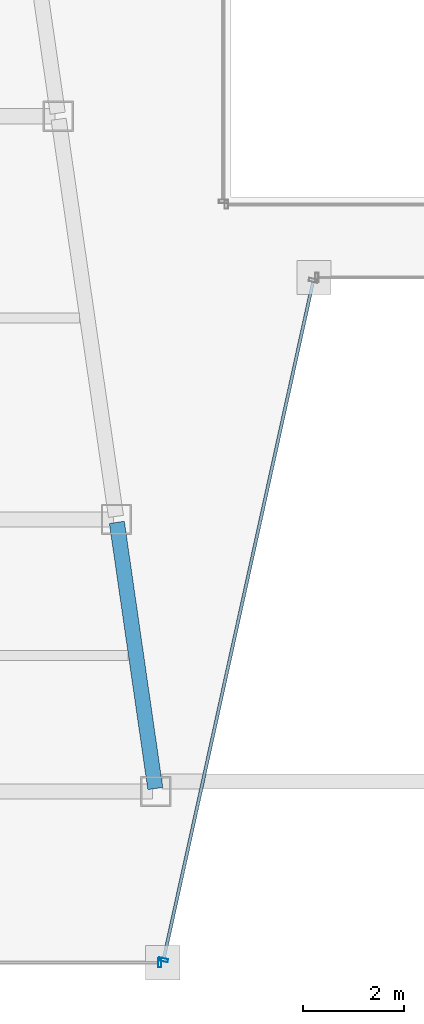
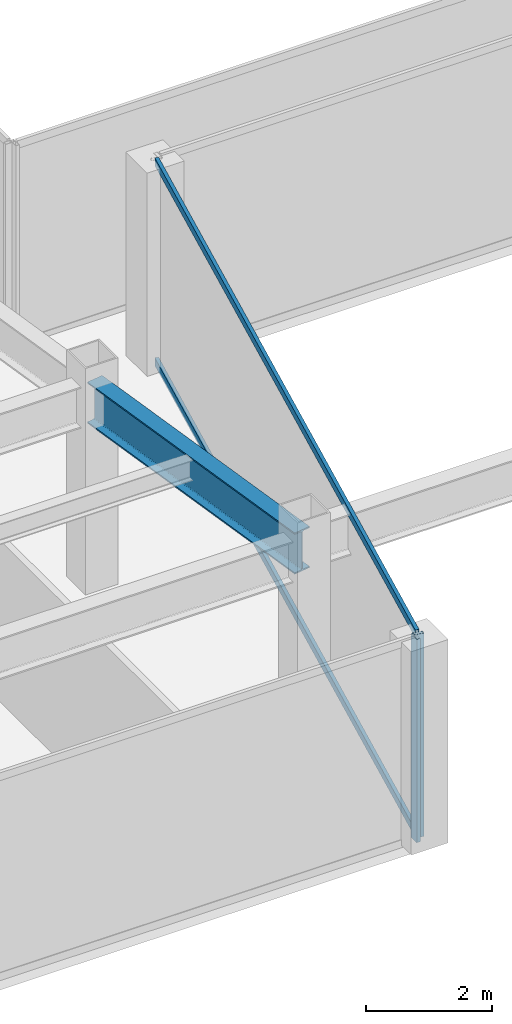
# One storey, part 5 of 36: 4 members, 1 beam, 2 elements without a shape of their own.
"""IFC4 building model written with IfcOpenShell, lengths in metres."""

import ifcopenshell
import ifcopenshell.guid

model = None  # the IFC model being written
_history = None  # IfcOwnerHistory: only IFC2X3 demands one
_inside = {}  # id of a spatial element -> (the spatial element, [elements in it])
_under = {}  # id of a project, library or spatial element -> (it, [spatial elements below it])
_declared = {}  # id of a project -> (the project, [libraries it declares])
_typed = {}  # id of a type object -> (the type object, [elements of that type])
_made_of = {}  # id of a material, layer set ... -> (it, [elements and type objects made of it])


def new_model(schema):
    """Start an empty IFC model of exactly this schema.

    Asked for "IFC4X3", IfcOpenShell would pick the latest addendum, in which some entities
    have other attributes; the version numbers below select the first issue.
    IFC2X3 requires an IfcOwnerHistory on every rooted entity: one is made here for all.
    """
    global model, _history
    if schema == "IFC4X3":
        model = ifcopenshell.file(schema_version=(4, 3, 0, 0))
    else:
        model = ifcopenshell.file(schema=schema)
    _inside.clear()
    _under.clear()
    _declared.clear()
    _typed.clear()
    _made_of.clear()
    _history = None
    if model.schema == "IFC2X3":
        org = make("IfcOrganization", Name="unknown")
        user = make(
            "IfcPersonAndOrganization",
            ThePerson=make("IfcPerson", FamilyName="unknown"),
            TheOrganization=org,
        )
        app = make(
            "IfcApplication",
            ApplicationDeveloper=org,
            Version="unknown",
            ApplicationFullName="unknown",
            ApplicationIdentifier="unknown",
        )
        _history = make(
            "IfcOwnerHistory",
            OwningUser=user,
            OwningApplication=app,
            ChangeAction="ADDED",
            CreationDate=0,
        )
    return model


def make(cls, **values):
    """One entity of the class cls with the attributes given. An attribute that is None is left unset."""
    return model.create_entity(
        cls, **{name: value for name, value in values.items() if value is not None}
    )


def rooted(cls, **values):
    """An entity with a GlobalId (a new one), such as an element, a storey or a relation."""
    return make(cls, GlobalId=ifcopenshell.guid.new(), OwnerHistory=_history, **values)


def si_unit(unit_type, name, prefix=None):
    """IfcSIUnit, for example si_unit("LENGTHUNIT", "METRE", prefix="MILLI")."""
    return make("IfcSIUnit", UnitType=unit_type, Prefix=prefix, Name=name)


def assignment(units):
    """IfcUnitAssignment: the units of a project."""
    return None if units is None else make("IfcUnitAssignment", Units=units)


def point(xyz):
    """IfcCartesianPoint."""
    return None if xyz is None else make("IfcCartesianPoint", Coordinates=xyz)


def direction(xyz):
    """IfcDirection."""
    return None if xyz is None else make("IfcDirection", DirectionRatios=xyz)


def frame(location, z_axis=None, x_axis=None):
    """IfcAxis2Placement3D, a coordinate frame: its origin and axes. An axis left out is left unset."""
    return make(
        "IfcAxis2Placement3D",
        Location=point(location),
        Axis=direction(z_axis),
        RefDirection=direction(x_axis),
    )


def frame_2d(location, x_axis=None):
    """IfcAxis2Placement2D, a coordinate frame in the plane: its origin and x axis."""
    return make(
        "IfcAxis2Placement2D", Location=point(location), RefDirection=direction(x_axis)
    )


def origin():
    """The frame at (0, 0, 0) with its axes left unset."""
    return frame((0.0, 0.0, 0.0))


def origin_2d():
    """The frame at (0, 0) in the plane with its x axis left unset."""
    return frame_2d((0.0, 0.0))


def place(relative_to, where):
    """IfcLocalPlacement: puts the frame where relative to a parent placement (None: the world)."""
    return make(
        "IfcLocalPlacement", PlacementRelTo=relative_to, RelativePlacement=where
    )


def context(
    kind, dimensions, precision=None, world=None, true_north=None, identifier=None
):
    """IfcGeometricRepresentationContext, for example the 3D "Model" context."""
    return make(
        "IfcGeometricRepresentationContext",
        ContextIdentifier=identifier,
        ContextType=kind,
        CoordinateSpaceDimension=dimensions,
        Precision=precision,
        WorldCoordinateSystem=world,
        TrueNorth=true_north,
    )


def subcontext(parent, identifier, kind, view, scale=None):
    """IfcGeometricRepresentationSubContext, for example "Body" below "Model"."""
    return make(
        "IfcGeometricRepresentationSubContext",
        ContextIdentifier=identifier,
        ContextType=kind,
        ParentContext=parent,
        TargetScale=scale,
        TargetView=view,
    )


def project(units=None, contexts=None):
    """IfcProject with its units and contexts."""
    return rooted(
        "IfcProject",
        Name="project",
        RepresentationContexts=contexts,
        UnitsInContext=assignment(units),
    )


def spatial(cls, under=None, at=None, **own):
    """A site, building, storey or space (cls), placed at a placement, below another one or the project."""
    s = rooted(cls, ObjectPlacement=at, **own)
    if under is not None:
        _under.setdefault(under.id(), (under, []))[1].append(s)
    return s


def profile(cls, at=None, kind="AREA", **sizes):
    """A parametric profile (cls). Its sizes go by their IFC names, for example OverallWidth=200.0."""
    return make(cls, ProfileType=kind, Position=at, **sizes)


def hollow_rectangle(**sizes):
    """IfcRectangleHollowProfileDef."""
    return profile("IfcRectangleHollowProfileDef", **sizes)


def i_section(**sizes):
    """IfcIShapeProfileDef."""
    return profile("IfcIShapeProfileDef", **sizes)


def extrude(swept, where, along, depth):
    """IfcExtrudedAreaSolid: the profile swept, set in the frame where, extruded along a direction by depth."""
    return make(
        "IfcExtrudedAreaSolid",
        SweptArea=swept,
        Position=where,
        ExtrudedDirection=direction(along),
        Depth=depth,
    )


def shape(context_of_items, identifier, shape_type, items):
    """IfcShapeRepresentation: the items that make up one representation, for example the "Body"."""
    return make(
        "IfcShapeRepresentation",
        ContextOfItems=context_of_items,
        RepresentationIdentifier=identifier,
        RepresentationType=shape_type,
        Items=items,
    )


def material(Name=None, Category=None):
    """IfcMaterial."""
    return make("IfcMaterial", Name=Name, Category=Category)


def material_profile(
    of_material, cross_section, Name=None, Category=None, Priority=None
):
    """IfcMaterialProfile: a cross section and its material."""
    return make(
        "IfcMaterialProfile",
        Name=Name,
        Material=of_material,
        Profile=cross_section,
        Priority=Priority,
        Category=Category,
    )


def profile_set(profiles, Name=None, composite=None):
    """IfcMaterialProfileSet."""
    return make(
        "IfcMaterialProfileSet",
        Name=Name,
        MaterialProfiles=profiles,
        CompositeProfile=composite,
    )


def made_of(thing, what):
    """Note that an element or type object is made of a material, layer set ...; save() writes the relation."""
    if what is not None:
        _made_of.setdefault(what.id(), (what, []))[1].append(thing)
    return thing


def type_object(cls, material=None, **own):
    """A type object (cls), such as IfcWallType, which elements share."""
    return made_of(rooted(cls, **own), material)


def element(
    cls,
    number,
    at=None,
    inside=None,
    cuts=None,
    type_object=None,
    material=None,
    context=None,
    identifier="Body",
    shape_type=None,
    held_by="IfcProductDefinitionShape",
    body=None,
    shapes=None,
    **own,
):
    """One element of the class cls, such as IfcWall. Its Tag is "e" and its number.

    at: its placement. inside: the storey or other place that contains it. cuts: it is an
    opening in that element (IfcRelVoidsElement). A single representation is given by context,
    identifier, shape_type and body (its items); several are given by shapes. held_by: the class
    of the entity that holds the representations. save() writes the other relations.
    """
    e = rooted(cls, Tag="e%d" % number, ObjectPlacement=at, **own)
    if body is not None:
        shapes = [shape(context, identifier, shape_type, body)]
    if shapes is not None:
        e.Representation = make(held_by, Representations=shapes)
    if inside is not None:
        _inside.setdefault(inside.id(), (inside, []))[1].append(e)
    if cuts is not None:
        rooted(
            "IfcRelVoidsElement", RelatingBuildingElement=cuts, RelatedOpeningElement=e
        )
    if type_object is not None:
        _typed.setdefault(type_object.id(), (type_object, []))[1].append(e)
    return made_of(e, material)


def aggregate(whole, parts):
    """IfcRelAggregates: a whole, such as a stair, and the parts it consists of."""
    return rooted("IfcRelAggregates", RelatingObject=whole, RelatedObjects=parts)


def save(model, path):
    """Write the relations noted so far, then the file.

    IfcRelAggregates (storeys below a building ...), IfcRelContainedInSpatialStructure (elements
    in a storey), IfcRelDefinesByType, IfcRelAssociatesMaterial and IfcRelDeclares: one each for
    every whole, place, type object, material and project.
    """
    for whole, parts in _under.values():
        aggregate(whole, parts)
    for where, things in _inside.values():
        rooted(
            "IfcRelContainedInSpatialStructure",
            RelatedElements=things,
            RelatingStructure=where,
        )
    for kind, things in _typed.values():
        rooted("IfcRelDefinesByType", RelatedObjects=things, RelatingType=kind)
    for what, things in _made_of.values():
        rooted("IfcRelAssociatesMaterial", RelatedObjects=things, RelatingMaterial=what)
    for by, libraries in _declared.values():
        rooted("IfcRelDeclares", RelatingContext=by, RelatedDefinitions=libraries)
    model.write(path)


model = new_model("IFC4")

# Units and contexts
model_context = context("Model", 3, precision=1e-05, world=origin(), true_north=direction((0.0, 1.0)))
body_context = subcontext(model_context, "Body", "Model", "MODEL_VIEW")
ifc_project = project(units=[si_unit("LENGTHUNIT", "METRE"), si_unit("AREAUNIT", "SQUARE_METRE"), si_unit("VOLUMEUNIT", "CUBIC_METRE"), si_unit("PLANEANGLEUNIT", "RADIAN"), si_unit("MASSUNIT", "GRAM", prefix="KILO")], contexts=[model_context])

# Site, building, storey
site_placement = place(None, origin())
site = spatial("IfcSite", under=ifc_project, at=site_placement, CompositionType="ELEMENT")
building_placement = place(site_placement, origin())
building = spatial("IfcBuilding", under=site, at=building_placement, Name="Saevonmaru Cultural Tower", CompositionType="ELEMENT")
storey_placement = place(building_placement, frame((0.0, 0.0, 119.199951171875)))
storey = spatial("IfcBuildingStorey", under=building, at=storey_placement, Name="L25", CompositionType="ELEMENT", Elevation=119.199951171875)

# Beam
ifc_material_1 = material(Name="Steel SM420", Category="steel")
ifc_material_profile_1 = material_profile(ifc_material_1, i_section(OverallWidth=0.300048828125, OverallDepth=0.800048828125, WebThickness=0.013916015625, FlangeThickness=0.02587890625, FilletRadius=0.028076171875, at=origin_2d()), Name="H-800x300x14x26")
ifc_profile_set_1 = profile_set([ifc_material_profile_1], Name="Steel SM420")
beam_type = type_object("IfcBeamType", Name="BM-G-H800", PredefinedType="BEAM", material=ifc_profile_set_1)
beam_placement = place(storey_placement, frame((22.699462890625, 10.659423828125, 3.550048828125), z_axis=(-0.142977693794, 0.989725911087, 0.0), x_axis=(-0.989725911087, -0.142977693794, 0.0)))
element("IfcBeam", 1, at=beam_placement, inside=storey, type_object=beam_type, Name="L25 West Atrium Girder 1", PredefinedType="BEAM", context=body_context, shape_type="SweptSolid", body=[
    extrude(i_section(OverallWidth=0.300048828125, OverallDepth=0.800048828125, WebThickness=0.013916015625, FlangeThickness=0.02587890625, FilletRadius=0.028076171875, at=origin_2d()), origin(), (0.0, 0.0, 1.0), 5.336181640625),
])

# Curtain wall, member
ifc_material_2 = material(Name="Satin Bronze Anodised Aluminium", Category="aluminium")
curtain_wall_type = type_object("IfcCurtainWallType", Name="CW-TYP-A", PredefinedType="NOTDEFINED", material=ifc_material_2)
curtain_wall_1_placement = place(storey_placement, origin())
curtain_wall_1 = element("IfcCurtainWall", 2, at=curtain_wall_1_placement, inside=storey, type_object=curtain_wall_type, Name="L25 Unitised Curtain Wall E2", PredefinedType="NOTDEFINED")
ifc_material_profile_2 = material_profile(ifc_material_2, hollow_rectangle(XDim=0.06494140625, YDim=0.179931640625, WallThickness=0.00390625, at=origin_2d()), Name="ALU-MULL-180x65x4")
ifc_profile_set_2 = profile_set([ifc_material_profile_2], Name="Satin Bronze Anodised Aluminium")
member_type_1 = type_object("IfcMemberType", Name="ML-CW-180x65", PredefinedType="MULLION", material=ifc_profile_set_2)
member_1_placement = place(storey_placement, frame((22.788818359375, 7.199951171875, 0.0), z_axis=(0.0, 0.0, 1.0), x_axis=(1.0, 0.0, 0.0)))
member_1 = element("IfcMember", 3, at=member_1_placement, type_object=member_type_1, Name="CW-TW-L25-E2 mullion 2", PredefinedType="MULLION", context=body_context, shape_type="SweptSolid", body=[
    extrude(hollow_rectangle(XDim=0.06494140625, YDim=0.179931640625, WallThickness=0.00390625, at=origin_2d()), origin(), (0.0, 0.0, 1.0), 3.949951171875),
])
aggregate(curtain_wall_1, [member_1])

# Curtain wall, members
curtain_wall_2_placement = place(storey_placement, origin())
curtain_wall_2 = element("IfcCurtainWall", 4, at=curtain_wall_2_placement, inside=storey, type_object=curtain_wall_type, Name="L25 Unitised Curtain Wall E3", PredefinedType="NOTDEFINED")
member_2_placement = place(storey_placement, frame((22.86181640625, 7.258544921875, 0.0), z_axis=(0.0, 0.0, 1.0), x_axis=(0.215413319953, 0.976522965212, 0.0)))
member_2 = element("IfcMember", 5, at=member_2_placement, type_object=member_type_1, Name="CW-TW-L25-E3 mullion 1", PredefinedType="MULLION", context=body_context, shape_type="SweptSolid", body=[
    extrude(hollow_rectangle(XDim=0.06494140625, YDim=0.179931640625, WallThickness=0.00390625, at=origin_2d()), origin(), (0.0, 0.0, 1.0), 3.949951171875),
])
ifc_material_profile_3 = material_profile(ifc_material_2, hollow_rectangle(XDim=0.06494140625, YDim=0.14990234375, WallThickness=0.00390625, at=origin_2d()), Name="ALU-TRAN-150x65x4")
ifc_profile_set_3 = profile_set([ifc_material_profile_3], Name="Satin Bronze Anodised Aluminium")
member_type_2 = type_object("IfcMemberType", Name="TR-CW-150x65", PredefinedType="USERDEFINED", material=ifc_profile_set_3)
member_3_placement = place(storey_placement, frame((22.868896484375, 7.290283203125, 0.032470703125), z_axis=(0.21541214732, 0.976523223885, 0.0), x_axis=(-0.976523223885, 0.21541214732, 0.0)))
member_3 = element("IfcMember", 6, at=member_3_placement, type_object=member_type_2, Name="CW-TW-L25-E3 transom 1.1", ObjectType="TRANSOM", PredefinedType="USERDEFINED", context=body_context, shape_type="SweptSolid", body=[
    extrude(hollow_rectangle(XDim=0.06494140625, YDim=0.14990234375, WallThickness=0.00390625, at=origin_2d()), origin(), (0.0, 0.0, 1.0), 13.741943359375),
])
member_4_placement = place(storey_placement, frame((22.868896484375, 7.290283203125, 3.91748046875), z_axis=(0.21541214732, 0.976523223885, 0.0), x_axis=(-0.976523223885, 0.21541214732, 0.0)))
member_4 = element("IfcMember", 7, at=member_4_placement, type_object=member_type_2, Name="CW-TW-L25-E3 transom 1.2", ObjectType="TRANSOM", PredefinedType="USERDEFINED", context=body_context, shape_type="SweptSolid", body=[
    extrude(hollow_rectangle(XDim=0.06494140625, YDim=0.14990234375, WallThickness=0.00390625, at=origin_2d()), origin(), (0.0, 0.0, 1.0), 13.741943359375),
])
aggregate(curtain_wall_2, [member_2, member_3, member_4])

save(model, "model.ifc")
